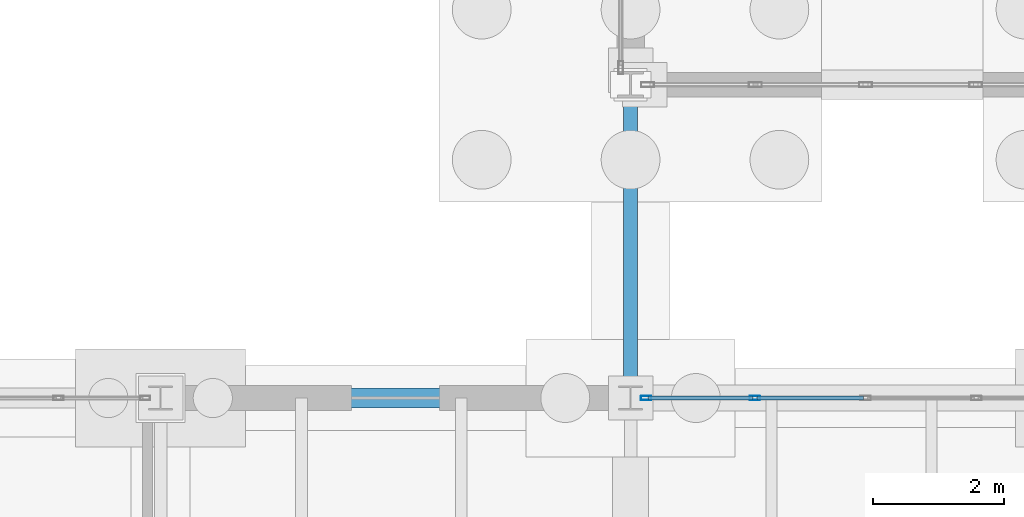
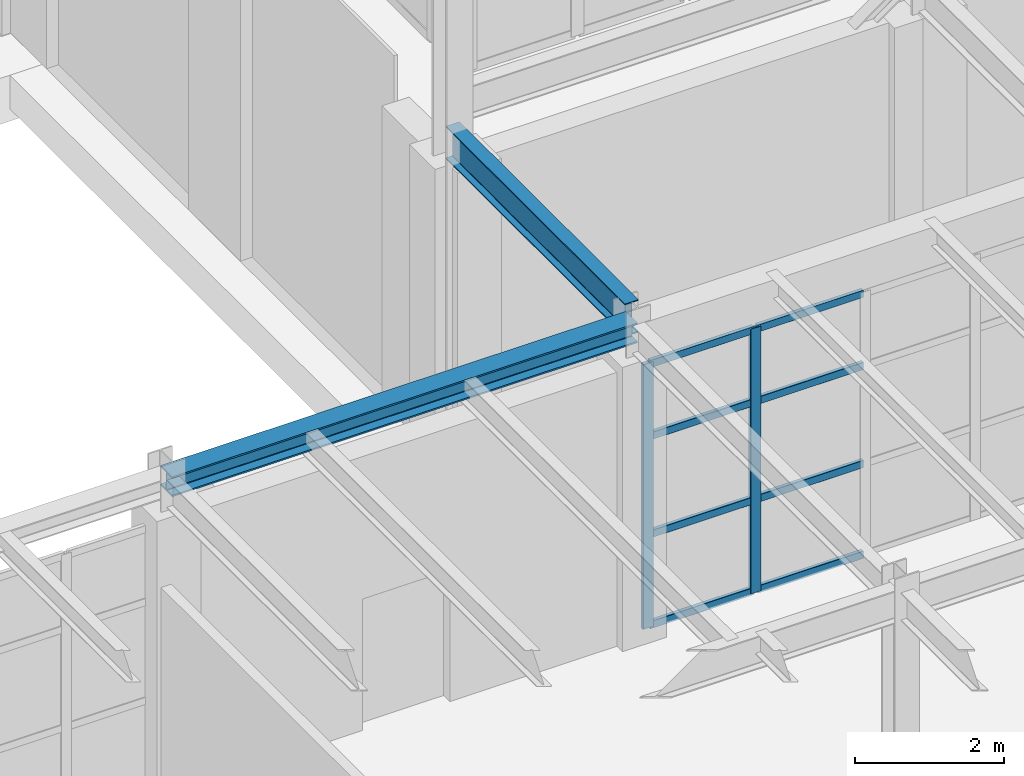
# One storey, part 103 of 293: 10 members, 2 beams, 1 element without a shape of its own.
"""IFC4 building model written with IfcOpenShell, lengths in metres."""

from ifc_helpers import new_model, si_unit, direction, frame, origin, origin_2d, place, context, subcontext, project, spatial, hollow_rectangle, i_section, extrude, material, layer, layer_set, material_profile, profile_set, type_object, element, aggregate, save


model = new_model("IFC4")

# Units and contexts
model_context = context("Model", 3, precision=1e-05, world=origin(), true_north=direction((0.0, 1.0)))
body_context = subcontext(model_context, "Body", "Model", "MODEL_VIEW")
ifc_project = project(units=[si_unit("LENGTHUNIT", "METRE"), si_unit("AREAUNIT", "SQUARE_METRE"), si_unit("VOLUMEUNIT", "CUBIC_METRE"), si_unit("PLANEANGLEUNIT", "RADIAN"), si_unit("MASSUNIT", "GRAM", prefix="KILO")], contexts=[model_context])

# Site, building, storey
site_placement = place(None, origin())
site = spatial("IfcSite", under=ifc_project, at=site_placement, CompositionType="ELEMENT")
building_placement = place(site_placement, origin())
building = spatial("IfcBuilding", under=site, at=building_placement, Name="Kemerveld Promenade Tramway Depot", CompositionType="ELEMENT")
storey_placement = place(building_placement, origin())
storey = spatial("IfcBuildingStorey", under=building, at=storey_placement, Name="L00", CompositionType="ELEMENT", Elevation=0.0)

# Beams
ifc_material_1 = material(Name="Steel S355", Category="steel")
ifc_material_profile_1 = material_profile(ifc_material_1, i_section(OverallWidth=0.2099609375, OverallDepth=0.53662109375, WebThickness=0.0107421875, FlangeThickness=0.017333984375, FilletRadius=0.0126953125, at=origin_2d()), Name="533x210x101 UB")
ifc_profile_set_1 = profile_set([ifc_material_profile_1], Name="Steel S355")
beam_type_1 = type_object("IfcBeamType", Name="BM-G05", PredefinedType="BEAM", material=ifc_profile_set_1)
beam_1_placement = place(storey_placement, frame((36.0, 79.199951171875, 5.131591796875), z_axis=(0.0, 1.0, 0.0), x_axis=(-1.0, 0.0, 0.0)))
element("IfcBeam", 1, at=beam_1_placement, inside=storey, type_object=beam_type_1, Name="BM-LINK-06-MN", PredefinedType="BEAM", context=body_context, shape_type="SweptSolid", body=[
    extrude(i_section(OverallWidth=0.2099609375, OverallDepth=0.53662109375, WebThickness=0.0107421875, FlangeThickness=0.017333984375, FilletRadius=0.0126953125, at=origin_2d()), origin(), (0.0, 0.0, 1.0), 4.800048828125),
])
ifc_material_profile_2 = material_profile(ifc_material_1, i_section(OverallWidth=0.311279296875, OverallDepth=0.3271484375, WebThickness=0.015869140625, FlangeThickness=0.02490234375, FilletRadius=0.01513671875, at=origin_2d()), Name="305x305x158 UC")
ifc_profile_set_2 = profile_set([ifc_material_profile_2], Name="Steel S355")
beam_type_2 = type_object("IfcBeamType", Name="BM-G13", PredefinedType="BEAM", material=ifc_profile_set_2)
beam_2_placement = place(storey_placement, frame((28.800048828125, 79.199951171875, 4.986572265625), z_axis=(1.0, 0.0, 0.0), x_axis=(0.0, 1.0, 0.0)))
element("IfcBeam", 2, at=beam_2_placement, inside=storey, type_object=beam_type_2, Name="BMX-L00-05-06-M", PredefinedType="BEAM", context=body_context, shape_type="SweptSolid", body=[
    extrude(i_section(OverallWidth=0.311279296875, OverallDepth=0.3271484375, WebThickness=0.015869140625, FlangeThickness=0.02490234375, FilletRadius=0.01513671875, at=origin_2d()), origin(), (0.0, 0.0, 1.0), 7.199951171875),
])

# Curtain wall, members
ifc_material_2 = material(Name="Bronze anodised aluminium and solar glass", Category="aluminium")
ifc_layer = layer(ifc_material_2, 0.159912109375)
ifc_layer_set = layer_set([ifc_layer], Name="CW-SYS-09")
curtain_wall_type = type_object("IfcCurtainWallType", Name="CW-SYS-09", PredefinedType="USERDEFINED", material=ifc_layer_set)
curtain_wall_placement = place(storey_placement, origin())
curtain_wall = element("IfcCurtainWall", 3, at=curtain_wall_placement, inside=storey, type_object=curtain_wall_type, Name="CW-L00-V5N-06", ObjectType="GLAZED_CURTAIN_WALL", PredefinedType="USERDEFINED")
ifc_material_3 = material(Name="Bronze anodised aluminium", Category="aluminium")
ifc_material_profile_3 = material_profile(ifc_material_3, hollow_rectangle(XDim=0.06494140625, YDim=0.159912109375, WallThickness=0.00390625, InnerFilletRadius=0.001953125, OuterFilletRadius=0.00390625, at=origin_2d()), Name="CW-MUL-160x65")
ifc_profile_set_3 = profile_set([ifc_material_profile_3], Name="Bronze anodised aluminium")
member_type_1 = type_object("IfcMemberType", Name="CW-MUL-A", PredefinedType="MULLION", material=ifc_profile_set_3)
member_1_placement = place(storey_placement, frame((36.23876953125, 79.199951171875, 0.0), z_axis=(0.0, 0.0, 1.0), x_axis=(0.0, 1.0, 0.0)))
member_1 = element("IfcMember", 4, at=member_1_placement, type_object=member_type_1, Name="CW09 mullion 1", PredefinedType="MULLION", context=body_context, shape_type="SweptSolid", body=[
    extrude(hollow_rectangle(XDim=0.06494140625, YDim=0.159912109375, WallThickness=0.00390625, InnerFilletRadius=0.001953125, OuterFilletRadius=0.00390625, at=origin_2d()), origin(), (0.0, 0.0, 1.0), 4.330078125),
])
member_2_placement = place(storey_placement, frame((37.903076171875, 79.199951171875, 0.0), z_axis=(0.0, 0.0, 1.0), x_axis=(0.0, 1.0, 0.0)))
member_2 = element("IfcMember", 5, at=member_2_placement, type_object=member_type_1, Name="CW09 mullion 2", PredefinedType="MULLION", context=body_context, shape_type="SweptSolid", body=[
    extrude(hollow_rectangle(XDim=0.06494140625, YDim=0.159912109375, WallThickness=0.00390625, InnerFilletRadius=0.001953125, OuterFilletRadius=0.00390625, at=origin_2d()), origin(), (0.0, 0.0, 1.0), 4.330078125),
])
ifc_material_profile_4 = material_profile(ifc_material_3, hollow_rectangle(XDim=0.06005859375, YDim=0.1201171875, WallThickness=0.00390625, InnerFilletRadius=0.001953125, OuterFilletRadius=0.00390625, at=origin_2d()), Name="CW-TRN-120x60")
ifc_profile_set_4 = profile_set([ifc_material_profile_4], Name="Bronze anodised aluminium")
member_type_2 = type_object("IfcMemberType", Name="CW-TRN-A", PredefinedType="USERDEFINED", material=ifc_profile_set_4)
member_3_placement = place(storey_placement, frame((36.271240234375, 79.199951171875, 0.030029296875), z_axis=(1.0, 0.0, 0.0), x_axis=(0.0, 1.0, 0.0)))
member_3 = element("IfcMember", 6, at=member_3_placement, type_object=member_type_2, Name="CW09 transom 1.1", ObjectType="TRANSOM", PredefinedType="USERDEFINED", context=body_context, shape_type="SweptSolid", body=[
    extrude(hollow_rectangle(XDim=0.06005859375, YDim=0.1201171875, WallThickness=0.00390625, InnerFilletRadius=0.001953125, OuterFilletRadius=0.00390625, at=origin_2d()), origin(), (0.0, 0.0, 1.0), 1.599365234375),
])
member_4_placement = place(storey_placement, frame((36.271240234375, 79.199951171875, 1.514892578125), z_axis=(1.0, 0.0, 0.0), x_axis=(0.0, 1.0, 0.0)))
member_4 = element("IfcMember", 7, at=member_4_placement, type_object=member_type_2, Name="CW09 transom 1.2", ObjectType="TRANSOM", PredefinedType="USERDEFINED", context=body_context, shape_type="SweptSolid", body=[
    extrude(hollow_rectangle(XDim=0.06005859375, YDim=0.1201171875, WallThickness=0.00390625, InnerFilletRadius=0.001953125, OuterFilletRadius=0.00390625, at=origin_2d()), origin(), (0.0, 0.0, 1.0), 1.599365234375),
])
member_5_placement = place(storey_placement, frame((36.271240234375, 79.199951171875, 3.117919921875), z_axis=(1.0, 0.0, 0.0), x_axis=(0.0, 1.0, 0.0)))
member_5 = element("IfcMember", 8, at=member_5_placement, type_object=member_type_2, Name="CW09 transom 1.3", ObjectType="TRANSOM", PredefinedType="USERDEFINED", context=body_context, shape_type="SweptSolid", body=[
    extrude(hollow_rectangle(XDim=0.06005859375, YDim=0.1201171875, WallThickness=0.00390625, InnerFilletRadius=0.001953125, OuterFilletRadius=0.00390625, at=origin_2d()), origin(), (0.0, 0.0, 1.0), 1.599365234375),
])
member_6_placement = place(storey_placement, frame((36.271240234375, 79.199951171875, 4.300048828125), z_axis=(1.0, 0.0, 0.0), x_axis=(0.0, 1.0, 0.0)))
member_6 = element("IfcMember", 9, at=member_6_placement, type_object=member_type_2, Name="CW09 transom 1.4", ObjectType="TRANSOM", PredefinedType="USERDEFINED", context=body_context, shape_type="SweptSolid", body=[
    extrude(hollow_rectangle(XDim=0.06005859375, YDim=0.1201171875, WallThickness=0.00390625, InnerFilletRadius=0.001953125, OuterFilletRadius=0.00390625, at=origin_2d()), origin(), (0.0, 0.0, 1.0), 1.599365234375),
])
member_7_placement = place(storey_placement, frame((37.935546875, 79.199951171875, 0.030029296875), z_axis=(1.0, 0.0, 0.0), x_axis=(0.0, 1.0, 0.0)))
member_7 = element("IfcMember", 10, at=member_7_placement, type_object=member_type_2, Name="CW09 transom 2.1", ObjectType="TRANSOM", PredefinedType="USERDEFINED", context=body_context, shape_type="SweptSolid", body=[
    extrude(hollow_rectangle(XDim=0.06005859375, YDim=0.1201171875, WallThickness=0.00390625, InnerFilletRadius=0.001953125, OuterFilletRadius=0.00390625, at=origin_2d()), origin(), (0.0, 0.0, 1.0), 1.6318359375),
])
member_8_placement = place(storey_placement, frame((37.935546875, 79.199951171875, 1.514892578125), z_axis=(1.0, 0.0, 0.0), x_axis=(0.0, 1.0, 0.0)))
member_8 = element("IfcMember", 11, at=member_8_placement, type_object=member_type_2, Name="CW09 transom 2.2", ObjectType="TRANSOM", PredefinedType="USERDEFINED", context=body_context, shape_type="SweptSolid", body=[
    extrude(hollow_rectangle(XDim=0.06005859375, YDim=0.1201171875, WallThickness=0.00390625, InnerFilletRadius=0.001953125, OuterFilletRadius=0.00390625, at=origin_2d()), origin(), (0.0, 0.0, 1.0), 1.6318359375),
])
member_9_placement = place(storey_placement, frame((37.935546875, 79.199951171875, 3.117919921875), z_axis=(1.0, 0.0, 0.0), x_axis=(0.0, 1.0, 0.0)))
member_9 = element("IfcMember", 12, at=member_9_placement, type_object=member_type_2, Name="CW09 transom 2.3", ObjectType="TRANSOM", PredefinedType="USERDEFINED", context=body_context, shape_type="SweptSolid", body=[
    extrude(hollow_rectangle(XDim=0.06005859375, YDim=0.1201171875, WallThickness=0.00390625, InnerFilletRadius=0.001953125, OuterFilletRadius=0.00390625, at=origin_2d()), origin(), (0.0, 0.0, 1.0), 1.6318359375),
])
member_10_placement = place(storey_placement, frame((37.935546875, 79.199951171875, 4.300048828125), z_axis=(1.0, 0.0, 0.0), x_axis=(0.0, 1.0, 0.0)))
member_10 = element("IfcMember", 13, at=member_10_placement, type_object=member_type_2, Name="CW09 transom 2.4", ObjectType="TRANSOM", PredefinedType="USERDEFINED", context=body_context, shape_type="SweptSolid", body=[
    extrude(hollow_rectangle(XDim=0.06005859375, YDim=0.1201171875, WallThickness=0.00390625, InnerFilletRadius=0.001953125, OuterFilletRadius=0.00390625, at=origin_2d()), origin(), (0.0, 0.0, 1.0), 1.6318359375),
])
aggregate(curtain_wall, [member_1, member_2, member_3, member_4, member_5, member_6, member_7, member_8, member_9, member_10])

save(model, "model.ifc")
